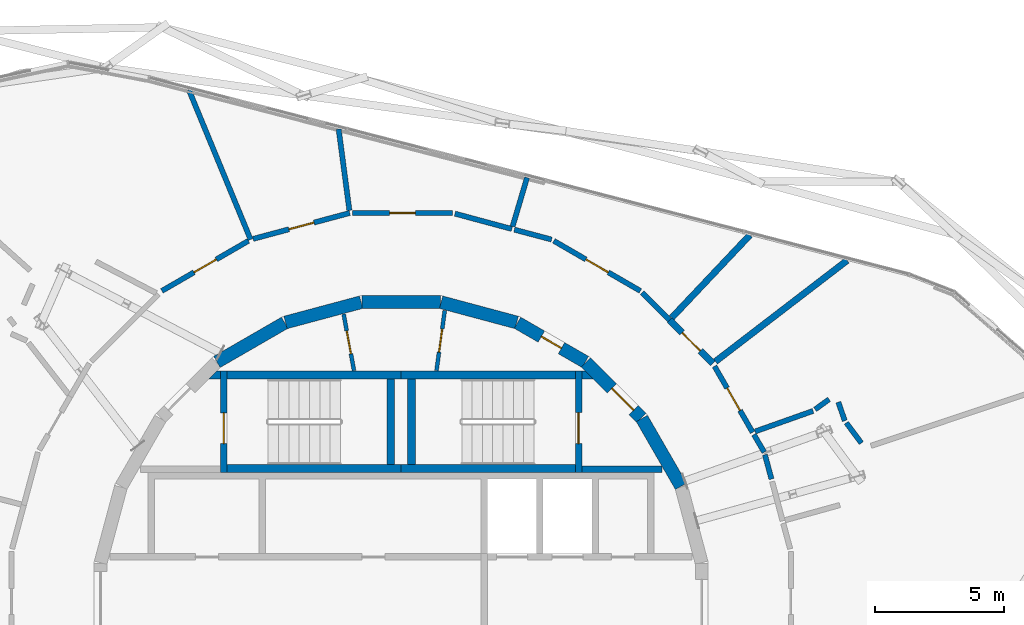
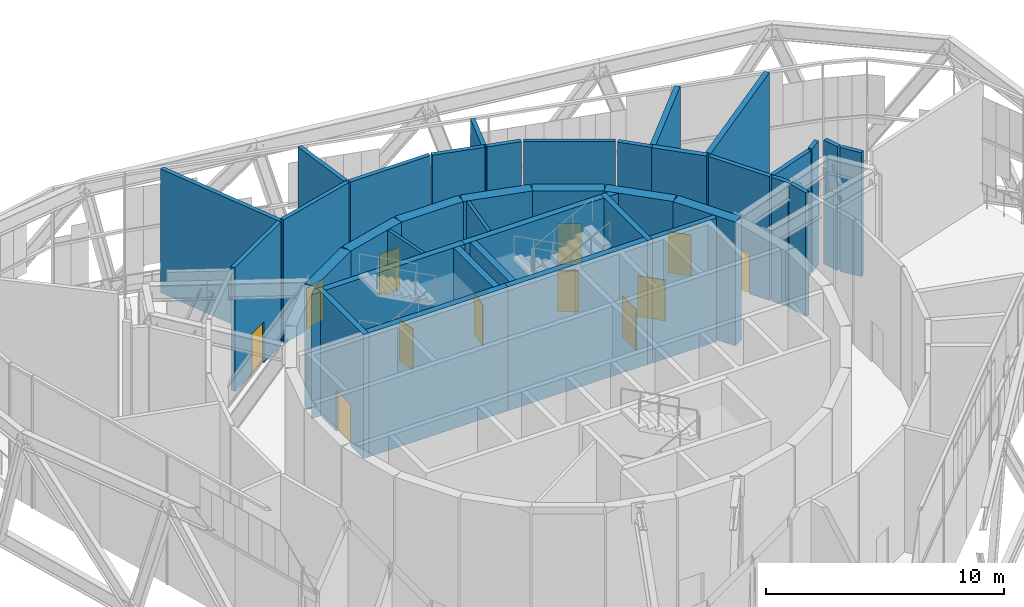
# One storey, part 20 of 23: 40 walls, 12 doors, 12 openings.
"""IFC4 building model written with IfcOpenShell, lengths in metres."""

from ifc_helpers import new_model, si_unit, direction, frame, frame_2d, origin, place, context, subcontext, project, spatial, polyline, rectangle, outline, extrude, material, layer, layer_set, type_object, element, fill, save


model = new_model("IFC4")

# Units and contexts
model_context = context("Model", 3, precision=1e-05, world=origin(), true_north=direction((0.0, 1.0)))
body_context = subcontext(model_context, "Body", "Model", "MODEL_VIEW")
ifc_project = project(units=[si_unit("LENGTHUNIT", "METRE"), si_unit("AREAUNIT", "SQUARE_METRE"), si_unit("VOLUMEUNIT", "CUBIC_METRE"), si_unit("PLANEANGLEUNIT", "RADIAN"), si_unit("MASSUNIT", "GRAM", prefix="KILO")], contexts=[model_context])

# Site, building, storey
site_placement = place(None, origin())
site = spatial("IfcSite", under=ifc_project, at=site_placement, CompositionType="ELEMENT")
building_placement = place(site_placement, origin())
building = spatial("IfcBuilding", under=site, at=building_placement, Name="Spindle Arch Residences", CompositionType="ELEMENT")
storey_placement = place(building_placement, frame((0.0, 0.0, 326.199951171875)))
storey = spatial("IfcBuildingStorey", under=building, at=storey_placement, Name="L84", CompositionType="ELEMENT", Elevation=326.199951171875)

# Wall
ifc_material_1 = material(Name="Concrete C50/60", Category="concrete")
ifc_layer_1 = layer(ifc_material_1, 0.5)
ifc_layer_set_1 = layer_set([ifc_layer_1], Name="Core outline wall 500")
wall_type_1 = type_object("IfcWallType", Name="Core outline wall 500", PredefinedType="SHEAR", material=ifc_layer_set_1)
wall_1_placement = place(storey_placement, frame((10.84521484375, 4.510498046875, 0.0), z_axis=(0.0, 0.0, 1.0), x_axis=(-0.500087131594, 0.865975092491, 0.0)))
element("IfcWall", 1, at=wall_1_placement, inside=storey, type_object=wall_type_1, Name="Core outline wall 8", PredefinedType="SHEAR", context=body_context, shape_type="SweptSolid", body=[
    extrude(rectangle(XDim=3.03271484375, YDim=0.5, at=frame_2d((1.516357421875, 0.0))), origin(), (0.0, 0.0, 1.0), 6.35009765625),
])

# Wall, opening, door
wall_2_placement = place(storey_placement, frame((9.30810546875, 7.163818359375, 0.0), z_axis=(0.0, 0.0, 1.0), x_axis=(-0.707106781187, 0.707106781187, 0.0)))
wall_2 = element("IfcWall", 2, at=wall_2_placement, inside=storey, type_object=wall_type_1, Name="Core outline wall 9", PredefinedType="SHEAR", context=body_context, shape_type="SweptSolid", body=[
    extrude(rectangle(XDim=3.032470703125, YDim=0.5, at=frame_2d((1.51611328125, 0.0))), origin(), (0.0, 0.0, 1.0), 6.35009765625),
])
opening_1_placement = place(wall_2_placement, frame((0.416259765625, 0.0, 0.0)))
opening_1 = element("IfcOpeningElement", 3, at=opening_1_placement, cuts=wall_2, Name="Opening L84-AD01", PredefinedType="OPENING", context=body_context, shape_type="SweptSolid", body=[
    extrude(rectangle(XDim=1.199951171875, YDim=2.10009765625, at=frame_2d((0.60009765625, 1.050048828125))), frame((0.0, 0.260009765625, 0.0), z_axis=(0.0, -1.0, 0.0), x_axis=(1.0, 0.0, 0.0)), (0.0, 0.0, 1.0), 0.52001953125),
])
ifc_material_2 = material(Name="Steel, fire-resisting door", Category="steel")
door_type_1 = type_object("IfcDoorType", Name="Stair airlock door 1200x2100", OperationType="SINGLE_SWING_LEFT", PredefinedType="DOOR", material=ifc_material_2)
door_1_placement = place(opening_1_placement, origin())
door_1 = element("IfcDoor", 4, at=door_1_placement, inside=storey, type_object=door_type_1, Name="Stair airlock door L84-AD01", OperationType="SINGLE_SWING_RIGHT", OverallHeight=2.10009765625, OverallWidth=1.199951171875, PredefinedType="DOOR", context=body_context, shape_type="SweptSolid", body=[
    extrude(rectangle(XDim=1.199951171875, YDim=2.10009765625, at=frame_2d((0.60009765625, 1.050048828125))), frame((0.0, 0.02490234375, 0.0), z_axis=(0.0, -1.0, 0.0), x_axis=(1.0, 0.0, 0.0)), (0.0, 0.0, 1.0), 0.050048828125),
])
fill(opening_1, door_1)

wall_3_placement = place(storey_placement, frame((7.13671875, 9.32861328125, 0.0), z_axis=(0.0, 0.0, 1.0), x_axis=(-0.865975092491, 0.500087131594, 0.0)))
wall_3 = element("IfcWall", 5, at=wall_3_placement, inside=storey, type_object=wall_type_1, Name="Core outline wall 10", PredefinedType="SHEAR", context=body_context, shape_type="SweptSolid", body=[
    extrude(rectangle(XDim=3.03271484375, YDim=0.5, at=frame_2d((1.516357421875, 0.0))), origin(), (0.0, 0.0, 1.0), 6.35009765625),
])
opening_2_placement = place(wall_3_placement, frame((1.06640625, 0.0, 0.0)))
opening_2 = element("IfcOpeningElement", 6, at=opening_2_placement, cuts=wall_3, Name="Opening L84-WD11", PredefinedType="OPENING", context=body_context, shape_type="SweptSolid", body=[
    extrude(rectangle(XDim=0.89990234375, YDim=2.10009765625, at=frame_2d((0.449951171875, 1.050048828125))), frame((0.0, 0.260009765625, 0.0), z_axis=(0.0, -1.0, 0.0), x_axis=(1.0, 0.0, 0.0)), (0.0, 0.0, 1.0), 0.52001953125),
])
ifc_material_3 = material(Name="Steel, fire-resisting door", Category="steel")
door_type_2 = type_object("IfcDoorType", Name="Service room door 900x2100", OperationType="SINGLE_SWING_LEFT", PredefinedType="DOOR", material=ifc_material_3)
door_2_placement = place(opening_2_placement, origin())
door_2 = element("IfcDoor", 7, at=door_2_placement, inside=storey, type_object=door_type_2, Name="Service room door L84-WD11", OperationType="SINGLE_SWING_LEFT", OverallHeight=2.10009765625, OverallWidth=0.89990234375, PredefinedType="DOOR", context=body_context, shape_type="SweptSolid", body=[
    extrude(rectangle(XDim=0.89990234375, YDim=2.10009765625, at=frame_2d((0.449951171875, 1.050048828125))), frame((0.0, 0.02490234375, 0.0), z_axis=(0.0, -1.0, 0.0), x_axis=(1.0, 0.0, 0.0)), (0.0, 0.0, 1.0), 0.050048828125),
])
fill(opening_2, door_2)

# Walls
for number, where, z_axis, x_axis, name in (
    (8, (4.479248046875, 10.858154296875, 0.0), (0.0, 0.0, 1.0), (-0.965948410781, 0.258734743916, 0.0), "Core outline wall 11"),
    (9, (1.516357421875, 11.647216796875, 0.0), (0.0, 0.0, 1.0), (-1.0, 0.0, 0.0), "Core outline wall 12"),
    (10, (-1.5498046875, 11.642822265625, 0.0), (0.0, 0.0, 1.0), (-0.965948410781, -0.258734743916, 0.0), "Core outline wall 13"),
    (11, (-4.510498046875, 10.84521484375, 0.0), (0.0, 0.0, 1.0), (-0.865975092491, -0.500087131594, 0.0), "Core outline wall 14"),
):
    element("IfcWall", number, at=place(storey_placement, frame(where, z_axis=z_axis, x_axis=x_axis)), inside=storey, type_object=wall_type_1, Name=name, PredefinedType="SHEAR", context=body_context, shape_type="SweptSolid", body=[
        extrude(rectangle(XDim=3.03271484375, YDim=0.5, at=frame_2d((1.516357421875, 0.0))), origin(), (0.0, 0.0, 1.0), 6.35009765625),
    ])
ifc_material_4 = material(Name="Concrete C25/30 wall", Category="concrete")
ifc_layer_2 = layer(ifc_material_4, 0.25)
ifc_layer_set_2 = layer_set([ifc_layer_2], Name="Partition EI 120 250 plant")
wall_type_2 = type_object("IfcWallType", Name="Partition EI 120 250 plant", PredefinedType="PARTITIONING", material=ifc_layer_set_2)
wall_4_placement = place(storey_placement, frame((10.48583984375, 11.040771484375, 0.0), z_axis=(0.0, 0.0, 1.0), x_axis=(0.686945894081, 0.726708565111, 0.0)))
element("IfcWall", 12, at=wall_4_placement, inside=storey, type_object=wall_type_2, Name="L84-W048", PredefinedType="PARTITIONING", context=body_context, shape_type="SweptSolid", body=[
    extrude(rectangle(XDim=4.40234375, YDim=0.25, at=frame_2d((2.201171875, 0.0))), origin(), (0.0, 0.0, 1.0), 6.35009765625),
])

# Wall, opening, door
wall_5_placement = place(storey_placement, frame((12.080078125, 9.27001953125, 0.0), z_axis=(0.0, 0.0, 1.0), x_axis=(-0.707158156693, 0.707055401947, 0.0)))
wall_5 = element("IfcWall", 13, at=wall_5_placement, inside=storey, type_object=wall_type_2, Name="L84-W050", PredefinedType="PARTITIONING", context=body_context, shape_type="SweptSolid", body=[
    extrude(rectangle(XDim=2.3759765625, YDim=0.25, at=frame_2d((1.18798828125, 0.0))), origin(), (0.0, 0.0, 1.0), 6.35009765625),
])
opening_3_placement = place(wall_5_placement, frame((0.68798828125, 0.0, 0.0)))
opening_3 = element("IfcOpeningElement", 14, at=opening_3_placement, cuts=wall_5, Name="Opening L84-D12", PredefinedType="OPENING", context=body_context, shape_type="SweptSolid", body=[
    extrude(rectangle(XDim=1.0, YDim=2.10009765625, at=frame_2d((0.5, 1.050048828125))), frame((0.0, 0.135009765625, 0.0), z_axis=(0.0, -1.0, 0.0), x_axis=(1.0, 0.0, 0.0)), (0.0, 0.0, 1.0), 0.27001953125),
])
ifc_material_5 = material(Name="Steel door leaf, painted", Category="steel")
door_type_3 = type_object("IfcDoorType", Name="Door 1000x2100 EI 60", OperationType="SINGLE_SWING_LEFT", PredefinedType="DOOR", material=ifc_material_5)
door_3_placement = place(opening_3_placement, origin())
door_3 = element("IfcDoor", 15, at=door_3_placement, inside=storey, type_object=door_type_3, Name="L84-D12", OperationType="SINGLE_SWING_LEFT", OverallHeight=2.10009765625, OverallWidth=1.0, PredefinedType="DOOR", context=body_context, shape_type="SweptSolid", body=[
    extrude(rectangle(XDim=1.0, YDim=2.10009765625, at=frame_2d((0.5, 1.050048828125))), frame((0.0, 0.02490234375, 0.0), z_axis=(0.0, -1.0, 0.0), x_axis=(1.0, 0.0, 0.0)), (0.0, 0.0, 1.0), 0.050048828125),
])
fill(opening_3, door_3)

# Walls
wall_6_placement = place(storey_placement, frame((12.17919921875, 9.34619140625, 0.0), z_axis=(0.0, 0.0, 1.0), x_axis=(0.793367328709, 0.608743198513, 0.0)))
element("IfcWall", 16, at=wall_6_placement, inside=storey, type_object=wall_type_2, Name="L84-W051", PredefinedType="PARTITIONING", context=body_context, shape_type="SweptSolid", body=[
    extrude(rectangle(XDim=6.429443359375, YDim=0.25, at=frame_2d((3.21484375, 0.0))), origin(), (0.0, 0.0, 1.0), 6.35009765625),
])
ifc_material_6 = material(Name="Gypsum board partition on steel studs", Category="steel")
ifc_layer_3 = layer(ifc_material_6, 0.199951171875)
ifc_layer_set_3 = layer_set([ifc_layer_3], Name="Partition EI 60 200 amenity")
wall_type_3 = type_object("IfcWallType", Name="Partition EI 60 200 amenity", PredefinedType="PARTITIONING", material=ifc_layer_set_3)
wall_7_placement = place(storey_placement, frame((-8.219970703125, 19.860107421875, 0.0), z_axis=(0.0, 0.0, 1.0), x_axis=(0.381535759917, -0.924354079292, 0.0)))
element("IfcWall", 17, at=wall_7_placement, inside=storey, type_object=wall_type_3, Name="L84-W024", PredefinedType="PARTITIONING", context=body_context, shape_type="SweptSolid", body=[
    extrude(rectangle(XDim=6.263916015625, YDim=0.199951171875, at=frame_2d((3.1318359375, 0.0))), origin(), (0.0, 0.0, 1.0), 6.35009765625),
])

# Wall, opening, door
wall_8_placement = place(storey_placement, frame((-5.91650390625, 14.02001953125, 0.0), z_axis=(0.0, 0.0, 1.0), x_axis=(-0.865601686425, -0.500733182901, 0.0)))
wall_8 = element("IfcWall", 18, at=wall_8_placement, inside=storey, type_object=wall_type_3, Name="L84-W026", PredefinedType="PARTITIONING", context=body_context, shape_type="SweptSolid", body=[
    extrude(rectangle(XDim=3.874267578125, YDim=0.199951171875, at=frame_2d((1.93701171875, 0.0))), origin(), (0.0, 0.0, 1.0), 6.35009765625),
])
opening_4_placement = place(wall_8_placement, frame((1.43701171875, 0.0, 0.0)))
opening_4 = element("IfcOpeningElement", 19, at=opening_4_placement, cuts=wall_8, Name="Opening L84-D15", PredefinedType="OPENING", context=body_context, shape_type="SweptSolid", body=[
    extrude(rectangle(XDim=1.0, YDim=2.10009765625, at=frame_2d((0.5, 1.050048828125))), frame((0.0, 0.10986328125, 0.0), z_axis=(0.0, -1.0, 0.0), x_axis=(1.0, 0.0, 0.0)), (0.0, 0.0, 1.0), 0.219970703125),
])
ifc_material_7 = material(Name="Timber door leaf", Category="wood")
door_type_4 = type_object("IfcDoorType", Name="Door 1000x2100 EI 30", OperationType="SINGLE_SWING_LEFT", PredefinedType="DOOR", material=ifc_material_7)
door_4_placement = place(opening_4_placement, origin())
door_4 = element("IfcDoor", 20, at=door_4_placement, inside=storey, type_object=door_type_4, Name="L84-D15", OperationType="SINGLE_SWING_LEFT", OverallHeight=2.10009765625, OverallWidth=1.0, PredefinedType="DOOR", context=body_context, shape_type="SweptSolid", body=[
    extrude(rectangle(XDim=1.0, YDim=2.10009765625, at=frame_2d((0.5, 1.050048828125))), frame((0.0, 0.02490234375, 0.0), z_axis=(0.0, -1.0, 0.0), x_axis=(1.0, 0.0, 0.0)), (0.0, 0.0, 1.0), 0.050048828125),
])
fill(opening_4, door_4)

wall_9_placement = place(storey_placement, frame((-1.989990234375, 15.10009765625, 0.0), z_axis=(0.0, 0.0, 1.0), x_axis=(-0.96585437197, -0.259085569159, 0.0)))
wall_9 = element("IfcWall", 21, at=wall_9_placement, inside=storey, type_object=wall_type_3, Name="L84-W031", PredefinedType="PARTITIONING", context=body_context, shape_type="SweptSolid", body=[
    extrude(rectangle(XDim=3.875732421875, YDim=0.199951171875, at=frame_2d((1.93798828125, 0.0))), origin(), (0.0, 0.0, 1.0), 6.35009765625),
])
opening_5_placement = place(wall_9_placement, frame((1.43798828125, 0.0, 0.0)))
opening_5 = element("IfcOpeningElement", 22, at=opening_5_placement, cuts=wall_9, Name="Opening L84-D16", PredefinedType="OPENING", context=body_context, shape_type="SweptSolid", body=[
    extrude(rectangle(XDim=1.0, YDim=2.10009765625, at=frame_2d((0.5, 1.050048828125))), frame((0.0, 0.10986328125, 0.0), z_axis=(0.0, -1.0, 0.0), x_axis=(1.0, 0.0, 0.0)), (0.0, 0.0, 1.0), 0.219970703125),
])
door_5_placement = place(opening_5_placement, origin())
door_5 = element("IfcDoor", 23, at=door_5_placement, inside=storey, type_object=door_type_4, Name="L84-D16", OperationType="SINGLE_SWING_LEFT", OverallHeight=2.10009765625, OverallWidth=1.0, PredefinedType="DOOR", context=body_context, shape_type="SweptSolid", body=[
    extrude(rectangle(XDim=1.0, YDim=2.10009765625, at=frame_2d((0.5, 1.050048828125))), frame((0.0, 0.02490234375, 0.0), z_axis=(0.0, -1.0, 0.0), x_axis=(1.0, 0.0, 0.0)), (0.0, 0.0, 1.0), 0.050048828125),
])
fill(opening_5, door_5)

# Wall
wall_10_placement = place(storey_placement, frame((-2.003173828125, 15.19921875, 0.0), z_axis=(0.0, 0.0, 1.0), x_axis=(-0.131122124818, 0.99136622314, 0.0)))
element("IfcWall", 24, at=wall_10_placement, inside=storey, type_object=wall_type_3, Name="L84-W032", PredefinedType="PARTITIONING", context=body_context, shape_type="SweptSolid", body=[
    extrude(rectangle(XDim=3.17822265625, YDim=0.199951171875, at=frame_2d((1.589111328125, 0.0))), origin(), (0.0, 0.0, 1.0), 6.35009765625),
])

# Wall, opening, door
wall_11_placement = place(storey_placement, frame((1.989990234375, 15.10009765625, 0.0), z_axis=(0.0, 0.0, 1.0), x_axis=(-1.0, 0.0, 0.0)))
wall_11 = element("IfcWall", 25, at=wall_11_placement, inside=storey, type_object=wall_type_3, Name="L84-W037", PredefinedType="PARTITIONING", context=body_context, shape_type="SweptSolid", body=[
    extrude(rectangle(XDim=3.8798828125, YDim=0.199951171875, at=frame_2d((1.93994140625, 0.0))), origin(), (0.0, 0.0, 1.0), 6.35009765625),
])
opening_6_placement = place(wall_11_placement, frame((1.43994140625, 0.0, 0.0)))
opening_6 = element("IfcOpeningElement", 26, at=opening_6_placement, cuts=wall_11, Name="Opening L84-D14", PredefinedType="OPENING", context=body_context, shape_type="SweptSolid", body=[
    extrude(rectangle(XDim=1.0, YDim=2.10009765625, at=frame_2d((0.5, 1.050048828125))), frame((0.0, 0.10986328125, 0.0), z_axis=(0.0, -1.0, 0.0), x_axis=(1.0, 0.0, 0.0)), (0.0, 0.0, 1.0), 0.219970703125),
])
door_6_placement = place(opening_6_placement, origin())
door_6 = element("IfcDoor", 27, at=door_6_placement, inside=storey, type_object=door_type_4, Name="L84-D14", OperationType="SINGLE_SWING_LEFT", OverallHeight=2.10009765625, OverallWidth=1.0, PredefinedType="DOOR", context=body_context, shape_type="SweptSolid", body=[
    extrude(rectangle(XDim=1.0, YDim=2.10009765625, at=frame_2d((0.5, 1.050048828125))), frame((0.0, 0.02490234375, 0.0), z_axis=(0.0, -1.0, 0.0), x_axis=(1.0, 0.0, 0.0)), (0.0, 0.0, 1.0), 0.050048828125),
])
fill(opening_6, door_6)

# Walls
wall_12_placement = place(storey_placement, frame((4.2900390625, 14.47998046875, 0.0), z_axis=(0.0, 0.0, 1.0), x_axis=(-0.965529971304, 0.260291902513, 0.0)))
element("IfcWall", 28, at=wall_12_placement, inside=storey, type_object=wall_type_3, Name="L84-W039", PredefinedType="PARTITIONING", context=body_context, shape_type="SweptSolid", body=[
    extrude(rectangle(XDim=2.281982421875, YDim=0.199951171875, at=frame_2d((1.14111328125, 0.0))), origin(), (0.0, 0.0, 1.0), 6.35009765625),
])
wall_13_placement = place(storey_placement, frame((4.318359375, 14.575927734375, 0.0), z_axis=(0.0, 0.0, 1.0), x_axis=(0.284239804346, 0.958753218313, 0.0)))
element("IfcWall", 29, at=wall_13_placement, inside=storey, type_object=wall_type_3, Name="L84-W040", PredefinedType="PARTITIONING", context=body_context, shape_type="SweptSolid", body=[
    extrude(rectangle(XDim=1.9755859375, YDim=0.199951171875, at=frame_2d((0.98779296875, 0.0))), origin(), (0.0, 0.0, 1.0), 6.35009765625),
])
wall_14_placement = place(storey_placement, frame((5.830078125, 14.070068359375, 0.0), z_axis=(0.0, 0.0, 1.0), x_axis=(-0.966337953359, 0.257276038327, 0.0)))
element("IfcWall", 30, at=wall_14_placement, inside=storey, type_object=wall_type_3, Name="L84-W043", PredefinedType="PARTITIONING", context=body_context, shape_type="SweptSolid", body=[
    extrude(rectangle(XDim=1.49365234375, YDim=0.199951171875, at=frame_2d((0.746826171875, 0.0))), origin(), (0.0, 0.0, 1.0), 6.35009765625),
])

# Wall, opening, door
wall_15_placement = place(storey_placement, frame((9.27001953125, 12.080078125, 0.0), z_axis=(0.0, 0.0, 1.0), x_axis=(-0.865601686425, 0.500733182901, 0.0)))
wall_15 = element("IfcWall", 31, at=wall_15_placement, inside=storey, type_object=wall_type_3, Name="L84-W046", PredefinedType="PARTITIONING", context=body_context, shape_type="SweptSolid", body=[
    extrude(rectangle(XDim=3.874267578125, YDim=0.199951171875, at=frame_2d((1.93701171875, 0.0))), origin(), (0.0, 0.0, 1.0), 6.35009765625),
])
opening_7_placement = place(wall_15_placement, frame((1.43701171875, 0.0, 0.0)))
opening_7 = element("IfcOpeningElement", 32, at=opening_7_placement, cuts=wall_15, Name="Opening L84-D13", PredefinedType="OPENING", context=body_context, shape_type="SweptSolid", body=[
    extrude(rectangle(XDim=1.0, YDim=2.10009765625, at=frame_2d((0.5, 1.050048828125))), frame((0.0, 0.10986328125, 0.0), z_axis=(0.0, -1.0, 0.0), x_axis=(1.0, 0.0, 0.0)), (0.0, 0.0, 1.0), 0.219970703125),
])
door_7_placement = place(opening_7_placement, origin())
door_7 = element("IfcDoor", 33, at=door_7_placement, inside=storey, type_object=door_type_4, Name="L84-D13", OperationType="SINGLE_SWING_LEFT", OverallHeight=2.10009765625, OverallWidth=1.0, PredefinedType="DOOR", context=body_context, shape_type="SweptSolid", body=[
    extrude(rectangle(XDim=1.0, YDim=2.10009765625, at=frame_2d((0.5, 1.050048828125))), frame((0.0, 0.02490234375, 0.0), z_axis=(0.0, -1.0, 0.0), x_axis=(1.0, 0.0, 0.0)), (0.0, 0.0, 1.0), 0.050048828125),
])
fill(opening_7, door_7)

# Wall
wall_16_placement = place(storey_placement, frame((10.39990234375, 10.949951171875, 0.0), z_axis=(0.0, 0.0, 1.0), x_axis=(-0.707025284411, 0.70718826857, 0.0)))
element("IfcWall", 34, at=wall_16_placement, inside=storey, type_object=wall_type_3, Name="L84-W047", PredefinedType="PARTITIONING", context=body_context, shape_type="SweptSolid", body=[
    extrude(rectangle(XDim=1.498046875, YDim=0.199951171875, at=frame_2d((0.7490234375, 0.0))), origin(), (0.0, 0.0, 1.0), 6.35009765625),
])

# Wall, opening, door
wall_17_placement = place(storey_placement, frame((13.6201171875, 6.60009765625, 0.0), z_axis=(0.0, 0.0, 1.0), x_axis=(-0.499717688814, 0.866188334882, 0.0)))
wall_17 = element("IfcWall", 35, at=wall_17_placement, inside=storey, type_object=wall_type_3, Name="L84-W054", PredefinedType="PARTITIONING", context=body_context, shape_type="SweptSolid", body=[
    extrude(rectangle(XDim=2.957275390625, YDim=0.199951171875, at=frame_2d((1.478515625, 0.0))), origin(), (0.0, 0.0, 1.0), 6.35009765625),
])
opening_8_placement = place(wall_17_placement, frame((0.978515625, 0.0, 0.0)))
opening_8 = element("IfcOpeningElement", 36, at=opening_8_placement, cuts=wall_17, Name="Opening L84-D10", PredefinedType="OPENING", context=body_context, shape_type="SweptSolid", body=[
    extrude(rectangle(XDim=1.0, YDim=2.10009765625, at=frame_2d((0.5, 1.050048828125))), frame((0.0, 0.10986328125, 0.0), z_axis=(0.0, -1.0, 0.0), x_axis=(1.0, 0.0, 0.0)), (0.0, 0.0, 1.0), 0.219970703125),
])
door_8_placement = place(opening_8_placement, origin())
door_8 = element("IfcDoor", 37, at=door_8_placement, inside=storey, type_object=door_type_4, Name="L84-D10", OperationType="SINGLE_SWING_LEFT", OverallHeight=2.10009765625, OverallWidth=1.0, PredefinedType="DOOR", context=body_context, shape_type="SweptSolid", body=[
    extrude(rectangle(XDim=1.0, YDim=2.10009765625, at=frame_2d((0.5, 1.050048828125))), frame((0.0, 0.02490234375, 0.0), z_axis=(0.0, -1.0, 0.0), x_axis=(1.0, 0.0, 0.0)), (0.0, 0.0, 1.0), 0.050048828125),
])
fill(opening_8, door_8)

# Walls
wall_18_placement = place(storey_placement, frame((14.070068359375, 5.830078125, 0.0), z_axis=(0.0, 0.0, 1.0), x_axis=(-0.504714262811, 0.863286460519, 0.0)))
element("IfcWall", 38, at=wall_18_placement, inside=storey, type_object=wall_type_3, Name="L84-W057", PredefinedType="PARTITIONING", context=body_context, shape_type="SweptSolid", body=[
    extrude(rectangle(XDim=0.791748046875, YDim=0.199951171875, at=frame_2d((0.39599609375, 0.0))), origin(), (0.0, 0.0, 1.0), 6.35009765625),
])
wall_19_placement = place(storey_placement, frame((14.35009765625, 4.7900390625, 0.0), z_axis=(0.0, 0.0, 1.0), x_axis=(-0.260134777682, 0.965572316008, 0.0)))
element("IfcWall", 39, at=wall_19_placement, inside=storey, type_object=wall_type_3, Name="L84-W058", PredefinedType="PARTITIONING", context=body_context, shape_type="SweptSolid", body=[
    extrude(rectangle(XDim=0.97705078125, YDim=0.199951171875, at=frame_2d((0.488525390625, 0.0))), origin(), (0.0, 0.0, 1.0), 6.35009765625),
])
wall_20_placement = place(storey_placement, frame((15.9599609375, 7.429931640625, 0.0), z_axis=(0.0, 0.0, 1.0), x_axis=(-0.942486066919, -0.334245439257, 0.0)))
element("IfcWall", 40, at=wall_20_placement, inside=storey, type_object=wall_type_3, Name="L84-W065", PredefinedType="PARTITIONING", context=body_context, shape_type="SweptSolid", body=[
    extrude(rectangle(XDim=2.382568359375, YDim=0.199951171875, at=frame_2d((1.19140625, 0.0))), origin(), (0.0, 0.0, 1.0), 6.35009765625),
])
wall_21_placement = place(storey_placement, frame((16.580078125, 7.8798828125, 0.0), z_axis=(0.0, 0.0, 1.0), x_axis=(-0.809401348722, -0.587255869861, 0.0)))
element("IfcWall", 41, at=wall_21_placement, inside=storey, type_object=wall_type_3, Name="L84-W066", PredefinedType="PARTITIONING", context=body_context, shape_type="SweptSolid", body=[
    extrude(rectangle(XDim=0.666015625, YDim=0.199951171875, at=frame_2d((0.3330078125, 0.0))), origin(), (0.0, 0.0, 1.0), 6.35009765625),
])
wall_22_placement = place(storey_placement, frame((17.18994140625, 7.050048828125, 0.0), z_axis=(0.0, 0.0, 1.0), x_axis=(-0.328023600199, 0.944669528307, 0.0)))
element("IfcWall", 42, at=wall_22_placement, inside=storey, type_object=wall_type_3, Name="L84-W067", PredefinedType="PARTITIONING", context=body_context, shape_type="SweptSolid", body=[
    extrude(rectangle(XDim=0.76220703125, YDim=0.199951171875, at=frame_2d((0.381103515625, 0.0))), origin(), (0.0, 0.0, 1.0), 6.35009765625),
])
wall_23_placement = place(storey_placement, frame((17.83203125, 6.185791015625, 0.0), z_axis=(0.0, 0.0, 1.0), x_axis=(-0.596434451728, 0.8026617873, 0.0)))
element("IfcWall", 43, at=wall_23_placement, inside=storey, type_object=wall_type_3, Name="L84-W068", PredefinedType="PARTITIONING", context=body_context, shape_type="SweptSolid", body=[
    extrude(rectangle(XDim=0.9765625, YDim=0.199951171875, at=frame_2d((0.48828125, 0.0))), origin(), (0.0, 0.0, 1.0), 6.35009765625),
])

# Wall, opening, door
ifc_material_8 = material(Name="Concrete C25/30", Category="concrete")
ifc_layer_4 = layer(ifc_material_8, 0.14990234375)
ifc_layer_set_4 = layer_set([ifc_layer_4], Name="Service room partition 150")
wall_type_4 = type_object("IfcWallType", Name="Service room partition 150", PredefinedType="PARTITIONING", material=ifc_layer_set_4)
wall_24_placement = place(storey_placement, frame((1.69091796875, 11.32568359375, 0.0), z_axis=(0.0, 0.0, 1.0), x_axis=(-0.135344253201, -0.990798633994, 0.0)))
wall_24 = element("IfcWall", 44, at=wall_24_placement, inside=storey, type_object=wall_type_4, Name="Core service room partition", PredefinedType="PARTITIONING", context=body_context, shape_type="SweptSolid", body=[
    extrude(rectangle(XDim=2.357666015625, YDim=0.14990234375, at=frame_2d((1.1787109375, 0.0))), origin(), (0.0, 0.0, 1.0), 6.35009765625),
])
opening_9_placement = place(wall_24_placement, frame((0.728759765625, 0.0, 0.0)))
opening_9 = element("IfcOpeningElement", 45, at=opening_9_placement, cuts=wall_24, Name="Opening L84-WD07", PredefinedType="OPENING", context=body_context, shape_type="SweptSolid", body=[
    extrude(rectangle(XDim=0.89990234375, YDim=2.10009765625, at=frame_2d((0.449951171875, 1.050048828125))), frame((0.0, 0.0849609375, 0.0), z_axis=(0.0, -1.0, 0.0), x_axis=(1.0, 0.0, 0.0)), (0.0, 0.0, 1.0), 0.169921875),
])
door_9_placement = place(opening_9_placement, origin())
door_9 = element("IfcDoor", 46, at=door_9_placement, inside=storey, type_object=door_type_2, Name="Service room door L84-WD07", OperationType="SINGLE_SWING_LEFT", OverallHeight=2.10009765625, OverallWidth=0.89990234375, PredefinedType="DOOR", context=body_context, shape_type="SweptSolid", body=[
    extrude(rectangle(XDim=0.89990234375, YDim=2.10009765625, at=frame_2d((0.449951171875, 1.050048828125))), frame((0.0, 0.02490234375, 0.0), z_axis=(0.0, -1.0, 0.0), x_axis=(1.0, 0.0, 0.0)), (0.0, 0.0, 1.0), 0.050048828125),
])
fill(opening_9, door_9)

wall_25_placement = place(storey_placement, frame((-1.824951171875, 8.98974609375, 0.0), z_axis=(0.0, 0.0, 1.0), x_axis=(-0.179955206115, 0.983674805915, 0.0)))
wall_25 = element("IfcWall", 47, at=wall_25_placement, inside=storey, type_object=wall_type_4, Name="Core service room partition", PredefinedType="PARTITIONING", context=body_context, shape_type="SweptSolid", body=[
    extrude(rectangle(XDim=2.22900390625, YDim=0.14990234375, at=frame_2d((1.114501953125, 0.0))), origin(), (0.0, 0.0, 1.0), 6.35009765625),
])
opening_10_placement = place(wall_25_placement, frame((0.66455078125, 0.0, 0.0)))
opening_10 = element("IfcOpeningElement", 48, at=opening_10_placement, cuts=wall_25, Name="Opening L84-WD08", PredefinedType="OPENING", context=body_context, shape_type="SweptSolid", body=[
    extrude(rectangle(XDim=0.89990234375, YDim=2.10009765625, at=frame_2d((0.449951171875, 1.050048828125))), frame((0.0, 0.0849609375, 0.0), z_axis=(0.0, -1.0, 0.0), x_axis=(1.0, 0.0, 0.0)), (0.0, 0.0, 1.0), 0.169921875),
])
door_10_placement = place(opening_10_placement, origin())
door_10 = element("IfcDoor", 49, at=door_10_placement, inside=storey, type_object=door_type_2, Name="Service room door L84-WD08", OperationType="SINGLE_SWING_RIGHT", OverallHeight=2.10009765625, OverallWidth=0.89990234375, PredefinedType="DOOR", context=body_context, shape_type="SweptSolid", body=[
    extrude(rectangle(XDim=0.89990234375, YDim=2.10009765625, at=frame_2d((0.449951171875, 1.050048828125))), frame((0.0, 0.02490234375, 0.0), z_axis=(0.0, -1.0, 0.0), x_axis=(1.0, 0.0, 0.0)), (0.0, 0.0, 1.0), 0.050048828125),
])
fill(opening_10, door_10)

# Walls
ifc_material_9 = material(Name="Concrete C40/50", Category="concrete")
ifc_layer_5 = layer(ifc_material_9, 0.25)
ifc_layer_set_5 = layer_set([ifc_layer_5], Name="Stair airlock wall 250")
wall_type_5 = type_object("IfcWallType", Name="Stair airlock wall 250", PredefinedType="SHEAR", material=ifc_layer_set_5)
wall_26_placement = place(storey_placement, frame((7.0, 5.175048828125, 0.0), z_axis=(0.0, 0.0, 1.0), x_axis=(1.0, 0.0, 0.0)))
element("IfcWall", 50, at=wall_26_placement, inside=storey, type_object=wall_type_5, Name="Stair ST-1 airlock wall S", PredefinedType="SHEAR", context=body_context, shape_type="SweptSolid", body=[
    extrude(rectangle(XDim=3.10009765625, YDim=0.25, at=frame_2d((1.550048828125, 0.0))), origin(), (0.0, 0.0, 1.0), 6.35009765625),
])
ifc_material_10 = material(Name="Concrete C40/50", Category="concrete")
wall_type_6 = type_object("IfcWallType", Name="Stair airlock wall profile", PredefinedType="SHEAR", material=ifc_material_10)
wall_27_placement = place(storey_placement, origin())
element("IfcWall", 51, at=wall_27_placement, inside=storey, type_object=wall_type_6, Name="Stair ST-1 airlock wall N", PredefinedType="SHEAR", context=body_context, shape_type="SweptSolid", body=[
    extrude(outline(polyline([(7.4482421875, 8.669921875), (7.0, 8.669921875), (7.0, 8.969970703125), (7.148193359375, 8.969970703125), (7.4482421875, 8.669921875)])), origin(), (0.0, 0.0, 1.0), 6.35009765625),
])
wall_28_placement = place(storey_placement, origin())
element("IfcWall", 52, at=wall_28_placement, inside=storey, type_object=wall_type_6, Name="Stair ST-2 airlock wall N", PredefinedType="SHEAR", context=body_context, shape_type="SweptSolid", body=[
    extrude(outline(polyline([(-7.148193359375, 8.969970703125), (-7.0, 8.969970703125), (-7.0, 8.669921875), (-7.4482421875, 8.669921875), (-7.148193359375, 8.969970703125)])), origin(), (0.0, 0.0, 1.0), 6.35009765625),
])

# Wall, opening, door
ifc_material_11 = material(Name="Concrete C50/60", Category="concrete")
ifc_layer_6 = layer(ifc_material_11, 0.25)
ifc_layer_set_6 = layer_set([ifc_layer_6], Name="Stair enclosure wall 250")
wall_type_7 = type_object("IfcWallType", Name="Stair enclosure wall 250", PredefinedType="SHEAR", material=ifc_layer_set_6)
wall_29_placement = place(storey_placement, frame((6.875, 5.050048828125, 0.0), z_axis=(0.0, 0.0, 1.0), x_axis=(0.0, 1.0, 0.0)))
wall_29 = element("IfcWall", 53, at=wall_29_placement, inside=storey, type_object=wall_type_7, Name="Stair ST-1 door wall", PredefinedType="SHEAR", context=body_context, shape_type="SweptSolid", body=[
    extrude(rectangle(XDim=3.919921875, YDim=0.25, at=frame_2d((1.9599609375, 0.0))), origin(), (0.0, 0.0, 1.0), 6.35009765625),
])
opening_11_placement = place(wall_29_placement, frame((1.110107421875, 0.0, 0.0)))
opening_11 = element("IfcOpeningElement", 54, at=opening_11_placement, cuts=wall_29, Name="Opening L84-SD01", PredefinedType="OPENING", context=body_context, shape_type="SweptSolid", body=[
    extrude(rectangle(XDim=1.199951171875, YDim=2.10009765625, at=frame_2d((0.60009765625, 1.050048828125))), frame((0.0, 0.135009765625, 0.0), z_axis=(0.0, -1.0, 0.0), x_axis=(1.0, 0.0, 0.0)), (0.0, 0.0, 1.0), 0.27001953125),
])
ifc_material_12 = material(Name="Steel, fire-resisting door", Category="steel")
door_type_5 = type_object("IfcDoorType", Name="Stair door 1200x2100", OperationType="SINGLE_SWING_RIGHT", PredefinedType="DOOR", material=ifc_material_12)
door_11_placement = place(opening_11_placement, origin())
door_11 = element("IfcDoor", 55, at=door_11_placement, inside=storey, type_object=door_type_5, Name="Stair door L84-SD01", OperationType="SINGLE_SWING_LEFT", OverallHeight=2.10009765625, OverallWidth=1.199951171875, PredefinedType="DOOR", context=body_context, shape_type="SweptSolid", body=[
    extrude(rectangle(XDim=1.199951171875, YDim=2.10009765625, at=frame_2d((0.60009765625, 1.050048828125))), frame((0.0, 0.02490234375, 0.0), z_axis=(0.0, -1.0, 0.0), x_axis=(1.0, 0.0, 0.0)), (0.0, 0.0, 1.0), 0.050048828125),
])
fill(opening_11, door_11)

wall_30_placement = place(storey_placement, frame((-6.875, 8.969970703125, 0.0), z_axis=(0.0, 0.0, 1.0), x_axis=(0.0, -1.0, 0.0)))
wall_30 = element("IfcWall", 56, at=wall_30_placement, inside=storey, type_object=wall_type_7, Name="Stair ST-2 door wall", PredefinedType="SHEAR", context=body_context, shape_type="SweptSolid", body=[
    extrude(rectangle(XDim=3.919921875, YDim=0.25, at=frame_2d((1.9599609375, 0.0))), origin(), (0.0, 0.0, 1.0), 6.35009765625),
])
opening_12_placement = place(wall_30_placement, frame((1.610107421875, 0.0, 0.0)))
opening_12 = element("IfcOpeningElement", 57, at=opening_12_placement, cuts=wall_30, Name="Opening L84-SD02", PredefinedType="OPENING", context=body_context, shape_type="SweptSolid", body=[
    extrude(rectangle(XDim=1.199951171875, YDim=2.10009765625, at=frame_2d((0.60009765625, 1.050048828125))), frame((0.0, 0.135009765625, 0.0), z_axis=(0.0, -1.0, 0.0), x_axis=(1.0, 0.0, 0.0)), (0.0, 0.0, 1.0), 0.27001953125),
])
door_12_placement = place(opening_12_placement, origin())
door_12 = element("IfcDoor", 58, at=door_12_placement, inside=storey, type_object=door_type_5, Name="Stair door L84-SD02", OperationType="SINGLE_SWING_LEFT", OverallHeight=2.10009765625, OverallWidth=1.199951171875, PredefinedType="DOOR", context=body_context, shape_type="SweptSolid", body=[
    extrude(rectangle(XDim=1.199951171875, YDim=2.10009765625, at=frame_2d((0.60009765625, 1.050048828125))), frame((0.0, 0.02490234375, 0.0), z_axis=(0.0, -1.0, 0.0), x_axis=(1.0, 0.0, 0.0)), (0.0, 0.0, 1.0), 0.050048828125),
])
fill(opening_12, door_12)

# Walls
ifc_material_13 = material(Name="Concrete C50/60", Category="concrete")
ifc_layer_7 = layer(ifc_material_13, 0.300048828125)
ifc_layer_set_7 = layer_set([ifc_layer_7], Name="Stair enclosure wall 300")
wall_type_8 = type_object("IfcWallType", Name="Stair enclosure wall 300", PredefinedType="SHEAR", material=ifc_layer_set_7)
for number, where, z_axis, x_axis, name in (
    (59, (0.0, 5.199951171875, 0.0), (0.0, 0.0, 1.0), (1.0, 0.0, 0.0), "Stair ST-1 enclosure wall S"),
    (60, (0.0, 8.820068359375, 0.0), (0.0, 0.0, 1.0), (1.0, 0.0, 0.0), "Stair ST-1 enclosure wall N"),
):
    element("IfcWall", number, at=place(storey_placement, frame(where, z_axis=z_axis, x_axis=x_axis)), inside=storey, type_object=wall_type_8, Name=name, PredefinedType="SHEAR", context=body_context, shape_type="SweptSolid", body=[
        extrude(rectangle(XDim=6.75, YDim=0.300048828125, at=frame_2d((3.375, 0.0))), origin(), (0.0, 0.0, 1.0), 6.35009765625),
    ])
wall_31_placement = place(storey_placement, frame((0.39990234375, 5.35009765625, 0.0), z_axis=(0.0, 0.0, 1.0), x_axis=(0.0, 1.0, 0.0)))
element("IfcWall", 61, at=wall_31_placement, inside=storey, type_object=wall_type_8, Name="Stair ST-1 enclosure wall F", PredefinedType="SHEAR", context=body_context, shape_type="SweptSolid", body=[
    extrude(rectangle(XDim=3.31982421875, YDim=0.300048828125, at=frame_2d((1.659912109375, 0.0))), origin(), (0.0, 0.0, 1.0), 6.35009765625),
])
for number, where, z_axis, x_axis, name in (
    (62, (-6.75, 5.199951171875, 0.0), (0.0, 0.0, 1.0), (1.0, 0.0, 0.0), "Stair ST-2 enclosure wall S"),
    (63, (-6.75, 8.820068359375, 0.0), (0.0, 0.0, 1.0), (1.0, 0.0, 0.0), "Stair ST-2 enclosure wall N"),
):
    element("IfcWall", number, at=place(storey_placement, frame(where, z_axis=z_axis, x_axis=x_axis)), inside=storey, type_object=wall_type_8, Name=name, PredefinedType="SHEAR", context=body_context, shape_type="SweptSolid", body=[
        extrude(rectangle(XDim=6.75, YDim=0.300048828125, at=frame_2d((3.375, 0.0))), origin(), (0.0, 0.0, 1.0), 6.35009765625),
    ])
wall_32_placement = place(storey_placement, frame((-0.39990234375, 5.35009765625, 0.0), z_axis=(0.0, 0.0, 1.0), x_axis=(0.0, 1.0, 0.0)))
element("IfcWall", 64, at=wall_32_placement, inside=storey, type_object=wall_type_8, Name="Stair ST-2 enclosure wall F", PredefinedType="SHEAR", context=body_context, shape_type="SweptSolid", body=[
    extrude(rectangle(XDim=3.31982421875, YDim=0.300048828125, at=frame_2d((1.659912109375, 0.0))), origin(), (0.0, 0.0, 1.0), 6.35009765625),
])

save(model, "model.ifc")
